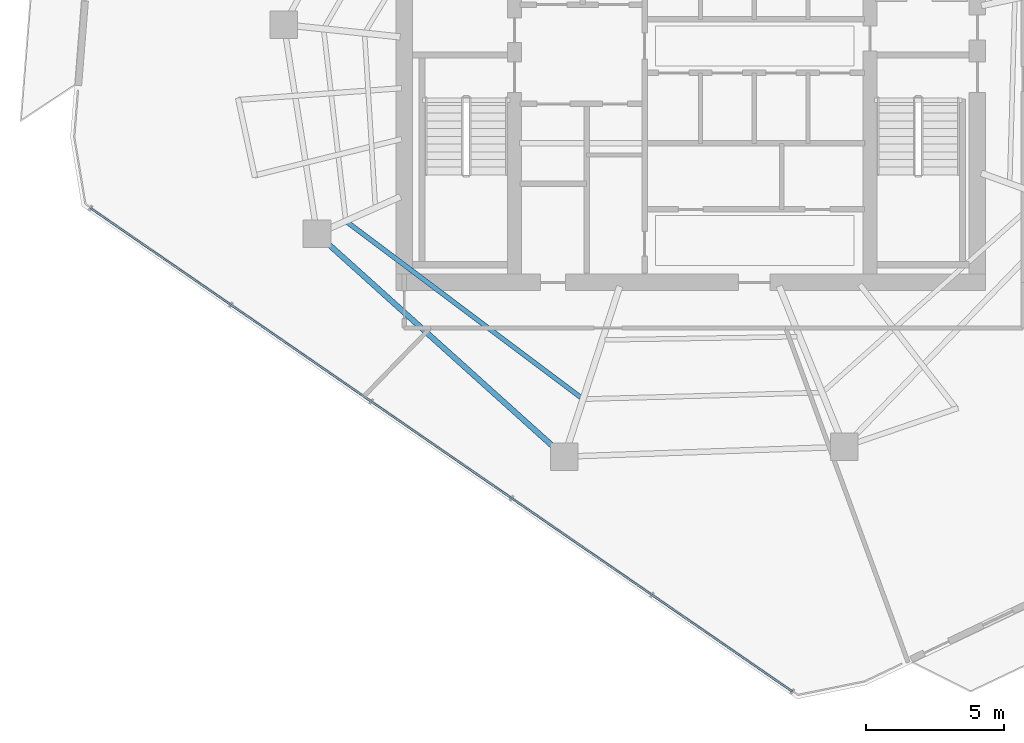
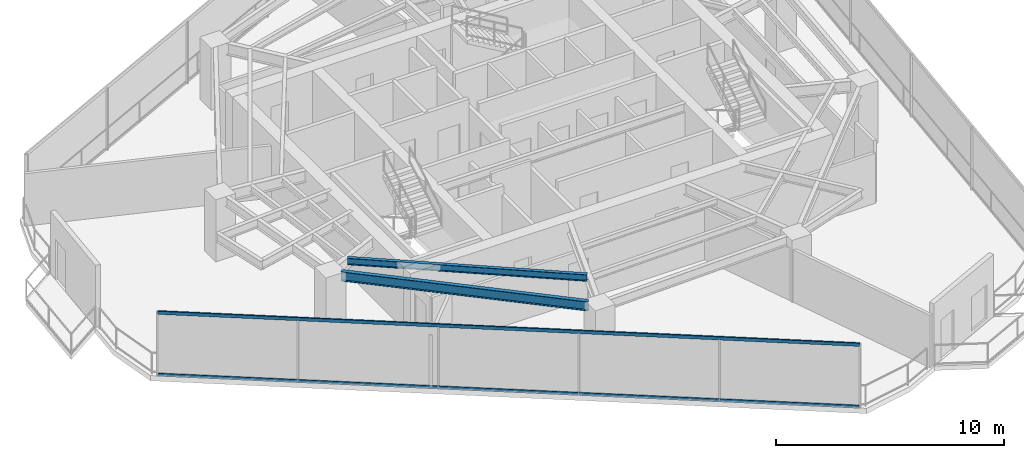
# One storey, part 3 of 21: 2 beams, 2 members, 1 element without a shape of its own.
"""IFC4 building model written with IfcOpenShell, lengths in metres."""

from ifc_helpers import new_model, si_unit, direction, frame, origin, origin_2d, place, context, subcontext, project, spatial, hollow_rectangle, i_section, extrude, material, layer, layer_set, material_profile, profile_set, type_object, element, aggregate, save


model = new_model("IFC4")

# Units and contexts
model_context = context("Model", 3, precision=1e-05, world=origin(), true_north=direction((0.0, 1.0)))
body_context = subcontext(model_context, "Body", "Model", "MODEL_VIEW")
ifc_project = project(units=[si_unit("LENGTHUNIT", "METRE"), si_unit("AREAUNIT", "SQUARE_METRE"), si_unit("VOLUMEUNIT", "CUBIC_METRE"), si_unit("PLANEANGLEUNIT", "RADIAN"), si_unit("MASSUNIT", "GRAM", prefix="KILO")], contexts=[model_context])

# Site, building, storey
site_placement = place(None, origin())
site = spatial("IfcSite", under=ifc_project, at=site_placement, CompositionType="ELEMENT")
building_placement = place(site_placement, origin())
building = spatial("IfcBuilding", under=site, at=building_placement, Name="Qarnah Convention Tower", CompositionType="ELEMENT")
storey_placement = place(building_placement, frame((0.0, 0.0, 161.699951171875)))
storey = spatial("IfcBuildingStorey", under=building, at=storey_placement, Name="L43", CompositionType="ELEMENT", Elevation=161.699951171875)

# Beams
ifc_material_1 = material(Name="Structural steel S355JR", Category="steel")
ifc_material_profile_1 = material_profile(ifc_material_1, i_section(OverallWidth=0.172119140625, OverallDepth=0.35595703125, WebThickness=0.007080078125, FlangeThickness=0.011962890625, at=origin_2d()), Name="W360X51")
ifc_profile_set_1 = profile_set([ifc_material_profile_1], Name="Structural steel S355JR")
beam_type_1 = type_object("IfcBeamType", Name="BM-JST-W360", PredefinedType="JOIST", material=ifc_profile_set_1)
beam_1_placement = place(storey_placement, frame((24.7509765625, 20.77099609375, 3.14208984375), z_axis=(0.799842204351, -0.600210336581, 0.0), x_axis=(0.600210336581, 0.799842204351, 0.0)))
element("IfcBeam", 1, at=beam_1_placement, inside=storey, type_object=beam_type_1, Name="L43 joist BM-L43-SJST-06", PredefinedType="JOIST", context=body_context, shape_type="SweptSolid", body=[
    extrude(i_section(OverallWidth=0.172119140625, OverallDepth=0.35595703125, WebThickness=0.007080078125, FlangeThickness=0.011962890625, at=origin_2d()), origin(), (0.0, 0.0, 1.0), 10.584716796875),
])
ifc_material_profile_2 = material_profile(ifc_material_1, i_section(OverallWidth=0.199951171875, OverallDepth=0.5, WebThickness=0.010009765625, FlangeThickness=0.01611328125, at=origin_2d()), Name="IPE500")
ifc_profile_set_2 = profile_set([ifc_material_profile_2], Name="Structural steel S355JR")
beam_type_2 = type_object("IfcBeamType", Name="BM-SPN-IPE500", PredefinedType="SPANDREL", material=ifc_profile_set_2)
beam_2_placement = place(storey_placement, frame((23.998046875, 20.031982421875, 3.070068359375), z_axis=(0.743165079224, -0.66910811161, 0.0), x_axis=(0.66910811161, 0.743165079224, 0.0)))
element("IfcBeam", 2, at=beam_2_placement, inside=storey, type_object=beam_type_2, Name="L43 spandrel BM-L43-SPN-06", PredefinedType="SPANDREL", context=body_context, shape_type="SweptSolid", body=[
    extrude(i_section(OverallWidth=0.199951171875, OverallDepth=0.5, WebThickness=0.010009765625, FlangeThickness=0.01611328125, at=origin_2d()), origin(), (0.0, 0.0, 1.0), 11.099853515625),
])

# Curtain wall, members
ifc_material_2 = material(Name="Tempered Low-E dark glass", Category="glass")
ifc_layer = layer(ifc_material_2, 0.172119140625)
ifc_layer_set = layer_set([ifc_layer], Name="Tempered Low-E dark glass")
curtain_wall_type = type_object("IfcCurtainWallType", Name="CWS-03", PredefinedType="NOTDEFINED", material=ifc_layer_set)
curtain_wall_placement = place(storey_placement, origin())
curtain_wall = element("IfcCurtainWall", 3, at=curtain_wall_placement, inside=storey, type_object=curtain_wall_type, Name="L43 unitised curtain wall CW-L43-F3", PredefinedType="NOTDEFINED")
ifc_material_3 = material(Name="Black anodised aluminium", Category="aluminium")
ifc_material_profile_3 = material_profile(ifc_material_3, hollow_rectangle(XDim=0.070068359375, YDim=0.169921875, WallThickness=0.0048828125, at=origin_2d()), Name="TRN-70X170")
ifc_profile_set_3 = profile_set([ifc_material_profile_3], Name="Black anodised aluminium")
member_type = type_object("IfcMemberType", Name="TRN-T3", PredefinedType="USERDEFINED", material=ifc_profile_set_3)
member_1_placement = place(storey_placement, frame((40.883056640625, 3.7509765625, 0.0), z_axis=(-0.823532761673, 0.567268710975, 0.0), x_axis=(-0.567268710975, -0.823532761673, 0.0)))
member_1 = element("IfcMember", 4, at=member_1_placement, type_object=member_type, Name="CW-L43-F3 transom 1", ObjectType="TRANSOM", PredefinedType="USERDEFINED", context=body_context, shape_type="SweptSolid", body=[
    extrude(hollow_rectangle(XDim=0.070068359375, YDim=0.169921875, WallThickness=0.0048828125, at=origin_2d()), origin(), (0.0, 0.0, 1.0), 30.92529296875),
])
member_2_placement = place(storey_placement, frame((40.883056640625, 3.7509765625, 3.320068359375), z_axis=(-0.823532761673, 0.567268710975, 0.0), x_axis=(-0.567268710975, -0.823532761673, 0.0)))
member_2 = element("IfcMember", 5, at=member_2_placement, type_object=member_type, Name="CW-L43-F3 transom 2", ObjectType="TRANSOM", PredefinedType="USERDEFINED", context=body_context, shape_type="SweptSolid", body=[
    extrude(hollow_rectangle(XDim=0.070068359375, YDim=0.169921875, WallThickness=0.0048828125, at=origin_2d()), origin(), (0.0, 0.0, 1.0), 30.92529296875),
])
aggregate(curtain_wall, [member_1, member_2])

save(model, "model.ifc")
